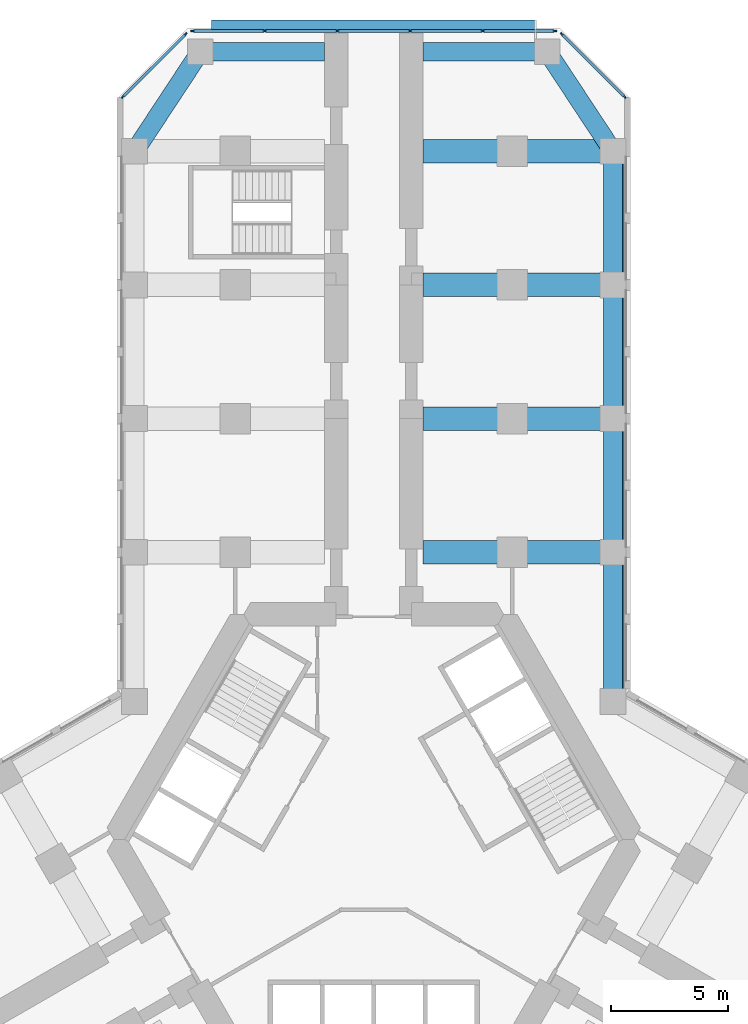
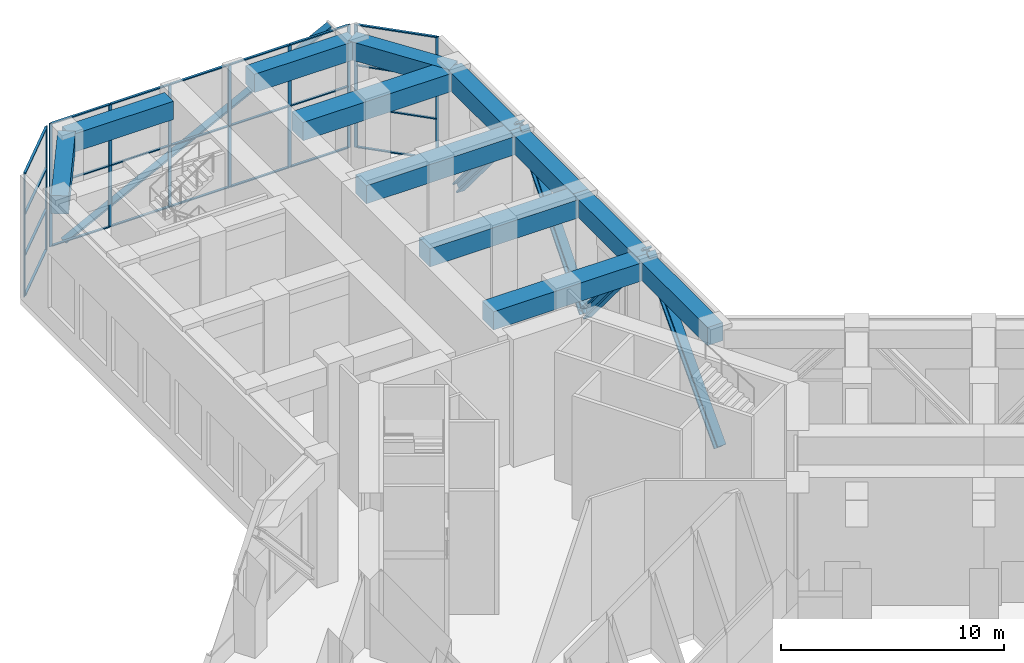
# One storey, part 7 of 17: 38 members, 12 beams, 3 elements without a shape of their own.
"""IFC4 building model written with IfcOpenShell, lengths in metres."""

from ifc_helpers import new_model, si_unit, direction, frame, origin, origin_2d, place, context, subcontext, project, spatial, rectangle, i_section, extrude, material, material_profile, profile_set, type_object, element, aggregate, save


model = new_model("IFC4")

# Units and contexts
model_context = context("Model", 3, precision=1e-05, world=origin(), true_north=direction((0.0, 1.0)))
body_context = subcontext(model_context, "Body", "Model", "MODEL_VIEW")
ifc_project = project(units=[si_unit("LENGTHUNIT", "METRE"), si_unit("AREAUNIT", "SQUARE_METRE"), si_unit("VOLUMEUNIT", "CUBIC_METRE"), si_unit("PLANEANGLEUNIT", "RADIAN"), si_unit("MASSUNIT", "GRAM", prefix="KILO")], contexts=[model_context])

# Site, building, storey
site_placement = place(None, origin())
site = spatial("IfcSite", under=ifc_project, at=site_placement, CompositionType="ELEMENT")
building_placement = place(site_placement, origin())
building = spatial("IfcBuilding", under=site, at=building_placement, Name="Kosmar Iwan School Tower", CompositionType="ELEMENT")
storey_placement = place(building_placement, frame((0.0, 0.0, 32.39990234375)))
storey = spatial("IfcBuildingStorey", under=building, at=storey_placement, Name="L07", CompositionType="ELEMENT", Elevation=32.39990234375)

# Members
ifc_material_1 = material(Name="Steel S355", Category="steel")
ifc_material_profile_1 = material_profile(ifc_material_1, i_section(OverallWidth=0.431884765625, OverallDepth=0.498046875, WebThickness=0.0556640625, FlangeThickness=0.0888671875, FilletRadius=0.014892578125, at=origin_2d()), Name="HD 400x744")
ifc_profile_set_1 = profile_set([ifc_material_profile_1], Name="Steel S355")
member_type_1 = type_object("IfcMemberType", Name="Belt truss diagonal HD 400x744", PredefinedType="BRACE", material=ifc_profile_set_1)
member_1_placement = place(storey_placement, frame((10.4541015625, 5.888916015625, 0.0), z_axis=(0.0, 0.682332246277, 0.731042205136), x_axis=(-1.0, 0.0, 0.0)))
element("IfcMember", 1, at=member_1_placement, inside=storey, type_object=member_type_1, Name="Belt truss diagonal AR1", PredefinedType="BRACE", context=body_context, shape_type="SweptSolid", body=[
    extrude(i_section(OverallWidth=0.431884765625, OverallDepth=0.498046875, WebThickness=0.0556640625, FlangeThickness=0.0888671875, FilletRadius=0.014892578125, at=origin_2d()), origin(), (0.0, 0.0, 1.0), 9.322509765625),
])
for number, where, z_axis, x_axis, name in (
    (2, (10.4541015625, 12.25, 6.815185546875), (0.0, 0.641553730592, -0.76707809952), (-1.0, 0.0, 0.0), "Belt truss diagonal AR2"),
    (3, (10.4541015625, 17.949951171875, 0.0), (0.0, 0.641553730592, 0.76707809952), (-1.0, 0.0, 0.0), "Belt truss diagonal AR3"),
):
    element("IfcMember", number, at=place(storey_placement, frame(where, z_axis=z_axis, x_axis=x_axis)), inside=storey, type_object=member_type_1, Name=name, PredefinedType="BRACE", context=body_context, shape_type="SweptSolid", body=[
        extrude(i_section(OverallWidth=0.431884765625, OverallDepth=0.498046875, WebThickness=0.0556640625, FlangeThickness=0.0888671875, FilletRadius=0.014892578125, at=origin_2d()), origin(), (0.0, 0.0, 1.0), 8.884521484375),
    ])
member_2_placement = place(storey_placement, frame((10.4541015625, 23.64990234375, 6.815185546875), z_axis=(0.0, 0.641569899089, -0.76706457654), x_axis=(-1.0, 0.0, 0.0)))
element("IfcMember", 4, at=member_2_placement, inside=storey, type_object=member_type_1, Name="Belt truss diagonal AR4", PredefinedType="BRACE", context=body_context, shape_type="SweptSolid", body=[
    extrude(i_section(OverallWidth=0.431884765625, OverallDepth=0.498046875, WebThickness=0.0556640625, FlangeThickness=0.0888671875, FilletRadius=0.014892578125, at=origin_2d()), origin(), (0.0, 0.0, 1.0), 8.884765625),
])

# Beams
ifc_material_2 = material(Name="Concrete C50/60", Category="concrete")
ifc_material_profile_2 = material_profile(ifc_material_2, rectangle(XDim=0.800048828125, YDim=1.0, at=origin_2d()), Name="RC 800x1000 + HD 400x634")
ifc_profile_set_2 = profile_set([ifc_material_profile_2], Name="Concrete C50/60")
beam_type_1 = type_object("IfcBeamType", Name="Composite edge beam 800x1000 HD 400x634", PredefinedType="BEAM", material=ifc_profile_set_2)
beam_1_placement = place(storey_placement, frame((10.199951171875, 5.888916015625, 6.25), z_axis=(0.0, 1.0, 0.0), x_axis=(-1.0, 0.0, 0.0)))
element("IfcBeam", 5, at=beam_1_placement, inside=storey, type_object=beam_type_1, Name="Edge beam AR1", PredefinedType="BEAM", context=body_context, shape_type="SweptSolid", body=[
    extrude(rectangle(XDim=0.800048828125, YDim=1.0, at=origin_2d()), origin(), (0.0, 0.0, 1.0), 6.361083984375),
])
for number, where, z_axis, x_axis, name in (
    (6, (10.199951171875, 12.25, 6.25), (0.0, 1.0, 0.0), (-1.0, 0.0, 0.0), "Edge beam AR2"),
    (7, (10.199951171875, 17.949951171875, 6.25), (0.0, 1.0, 0.0), (-1.0, 0.0, 0.0), "Edge beam AR3"),
):
    element("IfcBeam", number, at=place(storey_placement, frame(where, z_axis=z_axis, x_axis=x_axis)), inside=storey, type_object=beam_type_1, Name=name, PredefinedType="BEAM", context=body_context, shape_type="SweptSolid", body=[
        extrude(rectangle(XDim=0.800048828125, YDim=1.0, at=origin_2d()), origin(), (0.0, 0.0, 1.0), 5.699951171875),
    ])
beam_2_placement = place(storey_placement, frame((10.199951171875, 23.64990234375, 6.25), z_axis=(0.0, 1.0, 0.0), x_axis=(-1.0, 0.0, 0.0)))
element("IfcBeam", 8, at=beam_2_placement, inside=storey, type_object=beam_type_1, Name="Edge beam AR4", PredefinedType="BEAM", context=body_context, shape_type="SweptSolid", body=[
    extrude(rectangle(XDim=0.800048828125, YDim=1.0, at=origin_2d()), origin(), (0.0, 0.0, 1.0), 5.7001953125),
])
ifc_material_3 = material(Name="Concrete C50/60", Category="concrete")
ifc_material_profile_3 = material_profile(ifc_material_3, rectangle(XDim=1.0, YDim=1.0, at=origin_2d()), Name="RC 1000x1000 + HD 400x347")
ifc_profile_set_3 = profile_set([ifc_material_profile_3], Name="Concrete C50/60")
beam_type_2 = type_object("IfcBeamType", Name="Composite transverse beam 1000x1000 HD 400x347", PredefinedType="BEAM", material=ifc_profile_set_3)
for number, where, z_axis, x_axis, name in (
    (9, (10.199951171875, 12.25, 6.25), (-1.0, 0.0, 0.0), (0.0, -1.0, 0.0), "Transverse beam AR1"),
    (10, (10.199951171875, 17.949951171875, 6.25), (-1.0, 0.0, 0.0), (0.0, -1.0, 0.0), "Transverse beam AR2"),
    (11, (10.199951171875, 23.64990234375, 6.25), (-1.0, 0.0, 0.0), (0.0, -1.0, 0.0), "Transverse beam AR3"),
    (12, (10.199951171875, 29.35009765625, 6.25), (-1.0, 0.0, 0.0), (0.0, -1.0, 0.0), "Transverse beam AR4"),
):
    element("IfcBeam", number, at=place(storey_placement, frame(where, z_axis=z_axis, x_axis=x_axis)), inside=storey, type_object=beam_type_2, Name=name, PredefinedType="BEAM", context=body_context, shape_type="SweptSolid", body=[
        extrude(rectangle(XDim=1.0, YDim=1.0, at=origin_2d()), origin(), (0.0, 0.0, 1.0), 8.099853515625),
    ])

# Member
ifc_material_4 = material(Name="Black anodised aluminium", Category="aluminium")
ifc_material_profile_4 = material_profile(ifc_material_4, rectangle(XDim=0.10009765625, YDim=0.39990234375, at=origin_2d()), Name="FIN 100x400")
ifc_profile_set_4 = profile_set([ifc_material_profile_4], Name="Black anodised aluminium")
member_type_2 = type_object("IfcMemberType", Name="Diagonal fin 100x400", PredefinedType="USERDEFINED", material=ifc_profile_set_4)
member_3_placement = place(storey_placement, frame((-6.898193359375, 34.75, -0.14990234375), z_axis=(0.891779441227, 0.0, 0.452470361686), x_axis=(-0.452470361686, 0.0, 0.891779441227)))
element("IfcMember", 13, at=member_3_placement, inside=storey, type_object=member_type_2, Name="Diagonal fin L07-F08", ObjectType="FIN", PredefinedType="USERDEFINED", context=body_context, shape_type="SweptSolid", body=[
    extrude(rectangle(XDim=0.10009765625, YDim=0.39990234375, at=origin_2d()), origin(), (0.0, 0.0, 1.0), 15.470703125),
])

# Curtain wall, members
ifc_material_5 = material(Name="Dark glass in black aluminium frame", Category="aluminium")
curtain_wall_type_1 = type_object("IfcCurtainWallType", Name="Chamfer curtain wall dark glass", PredefinedType="USERDEFINED", material=ifc_material_5)
curtain_wall_1_placement = place(storey_placement, origin())
curtain_wall_1 = element("IfcCurtainWall", 14, at=curtain_wall_1_placement, inside=storey, type_object=curtain_wall_type_1, Name="Curtain wall L07-F07", ObjectType="FACETED CURTAIN WALL", PredefinedType="USERDEFINED")
ifc_material_6 = material(Name="Black anodised aluminium", Category="aluminium")
ifc_material_profile_5 = material_profile(ifc_material_6, rectangle(XDim=0.06005859375, YDim=0.159912109375, at=origin_2d()), Name="MULLION 60x160")
ifc_profile_set_5 = profile_set([ifc_material_profile_5], Name="Black anodised aluminium")
member_type_3 = type_object("IfcMemberType", Name="Mullion 60x160", PredefinedType="MULLION", material=ifc_profile_set_5)
member_4_placement = place(storey_placement, frame((10.69775390625, 31.675537109375, 0.0), z_axis=(0.0, 0.0, 1.0), x_axis=(-0.707106781187, -0.707106781187, 0.0)))
member_4 = element("IfcMember", 15, at=member_4_placement, type_object=member_type_3, Name="CW2 mullion 1", PredefinedType="MULLION", context=body_context, shape_type="SweptSolid", body=[
    extrude(rectangle(XDim=0.06005859375, YDim=0.159912109375, at=origin_2d()), origin(), (0.0, 0.0, 1.0), 6.75),
])
member_5_placement = place(storey_placement, frame((8.025390625, 34.34765625, 0.0), z_axis=(0.0, 0.0, 1.0), x_axis=(-0.707106781187, -0.707106781187, 0.0)))
member_5 = element("IfcMember", 16, at=member_5_placement, type_object=member_type_3, Name="CW2 mullion 2", PredefinedType="MULLION", context=body_context, shape_type="SweptSolid", body=[
    extrude(rectangle(XDim=0.06005859375, YDim=0.159912109375, at=origin_2d()), origin(), (0.0, 0.0, 1.0), 6.75),
])

ifc_material_7 = material(Name="Black aluminium louvres and glass", Category="aluminium")
curtain_wall_type_2 = type_object("IfcCurtainWallType", Name="Plant floor louvred curtain wall", PredefinedType="USERDEFINED", material=ifc_material_7)
curtain_wall_2_placement = place(storey_placement, origin())
curtain_wall_2 = element("IfcCurtainWall", 17, at=curtain_wall_2_placement, inside=storey, type_object=curtain_wall_type_2, Name="Curtain wall L07-F08", ObjectType="LOUVRED CURTAIN WALL", PredefinedType="USERDEFINED")
member_6_placement = place(storey_placement, frame((7.71826171875, 34.47509765625, 0.0), z_axis=(0.0, 0.0, 1.0), x_axis=(0.0, -1.0, 0.0)))
member_6 = element("IfcMember", 18, at=member_6_placement, type_object=member_type_3, Name="CW4 mullion 1", PredefinedType="MULLION", context=body_context, shape_type="SweptSolid", body=[
    extrude(rectangle(XDim=0.06005859375, YDim=0.159912109375, at=origin_2d()), origin(), (0.0, 0.0, 1.0), 6.75),
])
member_7_placement = place(storey_placement, frame((4.64892578125, 34.47509765625, 0.0), z_axis=(0.0, 0.0, 1.0), x_axis=(0.0, -1.0, 0.0)))
member_7 = element("IfcMember", 19, at=member_7_placement, type_object=member_type_3, Name="CW4 mullion 2", PredefinedType="MULLION", context=body_context, shape_type="SweptSolid", body=[
    extrude(rectangle(XDim=0.06005859375, YDim=0.159912109375, at=origin_2d()), origin(), (0.0, 0.0, 1.0), 6.75),
])
member_8_placement = place(storey_placement, frame((1.549560546875, 34.47509765625, 0.0), z_axis=(0.0, 0.0, 1.0), x_axis=(0.0, -1.0, 0.0)))
member_8 = element("IfcMember", 20, at=member_8_placement, type_object=member_type_3, Name="CW4 mullion 3", PredefinedType="MULLION", context=body_context, shape_type="SweptSolid", body=[
    extrude(rectangle(XDim=0.06005859375, YDim=0.159912109375, at=origin_2d()), origin(), (0.0, 0.0, 1.0), 6.75),
])
member_9_placement = place(storey_placement, frame((-1.549560546875, 34.47509765625, 0.0), z_axis=(0.0, 0.0, 1.0), x_axis=(0.0, -1.0, 0.0)))
member_9 = element("IfcMember", 21, at=member_9_placement, type_object=member_type_3, Name="CW4 mullion 4", PredefinedType="MULLION", context=body_context, shape_type="SweptSolid", body=[
    extrude(rectangle(XDim=0.06005859375, YDim=0.159912109375, at=origin_2d()), origin(), (0.0, 0.0, 1.0), 6.75),
])
member_10_placement = place(storey_placement, frame((-4.64892578125, 34.47509765625, 0.0), z_axis=(0.0, 0.0, 1.0), x_axis=(0.0, -1.0, 0.0)))
member_10 = element("IfcMember", 22, at=member_10_placement, type_object=member_type_3, Name="CW4 mullion 5", PredefinedType="MULLION", context=body_context, shape_type="SweptSolid", body=[
    extrude(rectangle(XDim=0.06005859375, YDim=0.159912109375, at=origin_2d()), origin(), (0.0, 0.0, 1.0), 6.75),
])
member_11_placement = place(storey_placement, frame((-7.71826171875, 34.47509765625, 0.0), z_axis=(0.0, 0.0, 1.0), x_axis=(0.0, -1.0, 0.0)))
member_11 = element("IfcMember", 23, at=member_11_placement, type_object=member_type_3, Name="CW4 mullion 6", PredefinedType="MULLION", context=body_context, shape_type="SweptSolid", body=[
    extrude(rectangle(XDim=0.06005859375, YDim=0.159912109375, at=origin_2d()), origin(), (0.0, 0.0, 1.0), 6.75),
])

curtain_wall_3_placement = place(storey_placement, origin())
curtain_wall_3 = element("IfcCurtainWall", 24, at=curtain_wall_3_placement, inside=storey, type_object=curtain_wall_type_1, Name="Curtain wall L07-F09", ObjectType="FACETED CURTAIN WALL", PredefinedType="USERDEFINED")
member_12_placement = place(storey_placement, frame((-8.025390625, 34.34765625, 0.0), z_axis=(0.0, 0.0, 1.0), x_axis=(0.707106781187, -0.707106781187, 0.0)))
member_12 = element("IfcMember", 25, at=member_12_placement, type_object=member_type_3, Name="CW2 mullion 1", PredefinedType="MULLION", context=body_context, shape_type="SweptSolid", body=[
    extrude(rectangle(XDim=0.06005859375, YDim=0.159912109375, at=origin_2d()), origin(), (0.0, 0.0, 1.0), 6.75),
])
member_13_placement = place(storey_placement, frame((-10.69775390625, 31.675537109375, 0.0), z_axis=(0.0, 0.0, 1.0), x_axis=(0.707106781187, -0.707106781187, 0.0)))
member_13 = element("IfcMember", 26, at=member_13_placement, type_object=member_type_3, Name="CW2 mullion 2", PredefinedType="MULLION", context=body_context, shape_type="SweptSolid", body=[
    extrude(rectangle(XDim=0.06005859375, YDim=0.159912109375, at=origin_2d()), origin(), (0.0, 0.0, 1.0), 6.75),
])

# Beams
ifc_material_8 = material(Name="Concrete C50/60", Category="concrete")
ifc_material_profile_6 = material_profile(ifc_material_8, rectangle(XDim=0.800048828125, YDim=1.0, at=origin_2d()), Name="RC 800x1000")
ifc_profile_set_6 = profile_set([ifc_material_profile_6], Name="Concrete C50/60")
beam_type_3 = type_object("IfcBeamType", Name="RC tip beam 800x1000", PredefinedType="BEAM", material=ifc_profile_set_6)
beam_3_placement = place(storey_placement, frame((-10.199951171875, 29.35009765625, 6.25), z_axis=(0.550164383043, 0.835056376319, 0.0), x_axis=(-0.835056376319, 0.550164383043, 0.0)))
element("IfcBeam", 27, at=beam_3_placement, inside=storey, type_object=beam_type_3, Name="Tip beam AL", PredefinedType="BEAM", context=body_context, shape_type="SweptSolid", body=[
    extrude(rectangle(XDim=0.800048828125, YDim=1.0, at=origin_2d()), origin(), (0.0, 0.0, 1.0), 5.08935546875),
])
beam_4_placement = place(storey_placement, frame((-7.39990234375, 33.60009765625, 6.25), z_axis=(1.0, 0.0, 0.0), x_axis=(0.0, 1.0, 0.0)))
element("IfcBeam", 28, at=beam_4_placement, inside=storey, type_object=beam_type_3, Name="Tip beam AL to corridor wall", PredefinedType="BEAM", context=body_context, shape_type="SweptSolid", body=[
    extrude(rectangle(XDim=0.800048828125, YDim=1.0, at=origin_2d()), origin(), (0.0, 0.0, 1.0), 5.2998046875),
])
beam_5_placement = place(storey_placement, frame((10.199951171875, 29.35009765625, 6.25), z_axis=(-0.550164383043, 0.835056376319, 0.0), x_axis=(-0.835056376319, -0.550164383043, 0.0)))
element("IfcBeam", 29, at=beam_5_placement, inside=storey, type_object=beam_type_3, Name="Tip beam AR", PredefinedType="BEAM", context=body_context, shape_type="SweptSolid", body=[
    extrude(rectangle(XDim=0.800048828125, YDim=1.0, at=origin_2d()), origin(), (0.0, 0.0, 1.0), 5.08935546875),
])
beam_6_placement = place(storey_placement, frame((7.39990234375, 33.60009765625, 6.25), z_axis=(-1.0, 0.0, 0.0), x_axis=(0.0, -1.0, 0.0)))
element("IfcBeam", 30, at=beam_6_placement, inside=storey, type_object=beam_type_3, Name="Tip beam AR to corridor wall", PredefinedType="BEAM", context=body_context, shape_type="SweptSolid", body=[
    extrude(rectangle(XDim=0.800048828125, YDim=1.0, at=origin_2d()), origin(), (0.0, 0.0, 1.0), 5.2998046875),
])

# Member
ifc_material_9 = material(Name="Black anodised aluminium", Category="aluminium")
ifc_material_profile_7 = material_profile(ifc_material_9, rectangle(XDim=0.1201171875, YDim=0.06005859375, at=origin_2d()), Name="TRANSOM 60x120")
ifc_profile_set_7 = profile_set([ifc_material_profile_7], Name="Black anodised aluminium")
member_type_4 = type_object("IfcMemberType", Name="Transom 60x120", PredefinedType="USERDEFINED", material=ifc_profile_set_7)
member_14_placement = place(storey_placement, frame((10.676513671875, 31.69677734375, 0.030029296875), z_axis=(-0.707139603466, 0.707073957383, 0.0), x_axis=(-0.707073957383, -0.707139603466, 0.0)))
member_14 = element("IfcMember", 31, at=member_14_placement, type_object=member_type_4, Name="CW2 transom 1.1", ObjectType="TRANSOM", PredefinedType="USERDEFINED", context=body_context, shape_type="SweptSolid", body=[
    extrude(rectangle(XDim=0.1201171875, YDim=0.06005859375, at=origin_2d()), origin(), (0.0, 0.0, 1.0), 3.718994140625),
])

member_15_placement = place(storey_placement, frame((10.676513671875, 31.69677734375, 2.25), z_axis=(-0.707139603466, 0.707073957383, 0.0), x_axis=(-0.707073957383, -0.707139603466, 0.0)))
member_15 = element("IfcMember", 32, at=member_15_placement, type_object=member_type_4, Name="CW2 transom 1.2", ObjectType="TRANSOM", PredefinedType="USERDEFINED", context=body_context, shape_type="SweptSolid", body=[
    extrude(rectangle(XDim=0.1201171875, YDim=0.06005859375, at=origin_2d()), origin(), (0.0, 0.0, 1.0), 3.718994140625),
])

member_16_placement = place(storey_placement, frame((10.676513671875, 31.69677734375, 4.5), z_axis=(-0.707139603466, 0.707073957383, 0.0), x_axis=(-0.707073957383, -0.707139603466, 0.0)))
member_16 = element("IfcMember", 33, at=member_16_placement, type_object=member_type_4, Name="CW2 transom 1.3", ObjectType="TRANSOM", PredefinedType="USERDEFINED", context=body_context, shape_type="SweptSolid", body=[
    extrude(rectangle(XDim=0.1201171875, YDim=0.06005859375, at=origin_2d()), origin(), (0.0, 0.0, 1.0), 3.718994140625),
])

member_17_placement = place(storey_placement, frame((10.676513671875, 31.69677734375, 6.72021484375), z_axis=(-0.707139603466, 0.707073957383, 0.0), x_axis=(-0.707073957383, -0.707139603466, 0.0)))
member_17 = element("IfcMember", 34, at=member_17_placement, type_object=member_type_4, Name="CW2 transom 1.4", ObjectType="TRANSOM", PredefinedType="USERDEFINED", context=body_context, shape_type="SweptSolid", body=[
    extrude(rectangle(XDim=0.1201171875, YDim=0.06005859375, at=origin_2d()), origin(), (0.0, 0.0, 1.0), 3.718994140625),
])

aggregate(curtain_wall_1, [member_4, member_5, member_14, member_15, member_16, member_17])

member_18_placement = place(storey_placement, frame((7.688232421875, 34.47509765625, 0.030029296875), z_axis=(-1.0, 0.0, 0.0), x_axis=(0.0, -1.0, 0.0)))
member_18 = element("IfcMember", 35, at=member_18_placement, type_object=member_type_4, Name="CW4 transom 1.1", ObjectType="TRANSOM", PredefinedType="USERDEFINED", context=body_context, shape_type="SweptSolid", body=[
    extrude(rectangle(XDim=0.1201171875, YDim=0.06005859375, at=origin_2d()), origin(), (0.0, 0.0, 1.0), 3.00927734375),
])

member_19_placement = place(storey_placement, frame((7.688232421875, 34.47509765625, 3.375), z_axis=(-1.0, 0.0, 0.0), x_axis=(0.0, -1.0, 0.0)))
member_19 = element("IfcMember", 36, at=member_19_placement, type_object=member_type_4, Name="CW4 transom 1.2", ObjectType="TRANSOM", PredefinedType="USERDEFINED", context=body_context, shape_type="SweptSolid", body=[
    extrude(rectangle(XDim=0.1201171875, YDim=0.06005859375, at=origin_2d()), origin(), (0.0, 0.0, 1.0), 3.00927734375),
])

member_20_placement = place(storey_placement, frame((7.688232421875, 34.47509765625, 6.72021484375), z_axis=(-1.0, 0.0, 0.0), x_axis=(0.0, -1.0, 0.0)))
member_20 = element("IfcMember", 37, at=member_20_placement, type_object=member_type_4, Name="CW4 transom 1.3", ObjectType="TRANSOM", PredefinedType="USERDEFINED", context=body_context, shape_type="SweptSolid", body=[
    extrude(rectangle(XDim=0.1201171875, YDim=0.06005859375, at=origin_2d()), origin(), (0.0, 0.0, 1.0), 3.00927734375),
])

member_21_placement = place(storey_placement, frame((4.618896484375, 34.47509765625, 0.030029296875), z_axis=(-1.0, 0.0, 0.0), x_axis=(0.0, -1.0, 0.0)))
member_21 = element("IfcMember", 38, at=member_21_placement, type_object=member_type_4, Name="CW4 transom 2.1", ObjectType="TRANSOM", PredefinedType="USERDEFINED", context=body_context, shape_type="SweptSolid", body=[
    extrude(rectangle(XDim=0.1201171875, YDim=0.06005859375, at=origin_2d()), origin(), (0.0, 0.0, 1.0), 3.039306640625),
])

member_22_placement = place(storey_placement, frame((4.618896484375, 34.47509765625, 3.375), z_axis=(-1.0, 0.0, 0.0), x_axis=(0.0, -1.0, 0.0)))
member_22 = element("IfcMember", 39, at=member_22_placement, type_object=member_type_4, Name="CW4 transom 2.2", ObjectType="TRANSOM", PredefinedType="USERDEFINED", context=body_context, shape_type="SweptSolid", body=[
    extrude(rectangle(XDim=0.1201171875, YDim=0.06005859375, at=origin_2d()), origin(), (0.0, 0.0, 1.0), 3.039306640625),
])

member_23_placement = place(storey_placement, frame((4.618896484375, 34.47509765625, 6.72021484375), z_axis=(-1.0, 0.0, 0.0), x_axis=(0.0, -1.0, 0.0)))
member_23 = element("IfcMember", 40, at=member_23_placement, type_object=member_type_4, Name="CW4 transom 2.3", ObjectType="TRANSOM", PredefinedType="USERDEFINED", context=body_context, shape_type="SweptSolid", body=[
    extrude(rectangle(XDim=0.1201171875, YDim=0.06005859375, at=origin_2d()), origin(), (0.0, 0.0, 1.0), 3.039306640625),
])

member_24_placement = place(storey_placement, frame((1.51953125, 34.47509765625, 0.030029296875), z_axis=(-1.0, 0.0, 0.0), x_axis=(0.0, -1.0, 0.0)))
member_24 = element("IfcMember", 41, at=member_24_placement, type_object=member_type_4, Name="CW4 transom 3.1", ObjectType="TRANSOM", PredefinedType="USERDEFINED", context=body_context, shape_type="SweptSolid", body=[
    extrude(rectangle(XDim=0.1201171875, YDim=0.06005859375, at=origin_2d()), origin(), (0.0, 0.0, 1.0), 3.0390625),
])

member_25_placement = place(storey_placement, frame((1.51953125, 34.47509765625, 3.375), z_axis=(-1.0, 0.0, 0.0), x_axis=(0.0, -1.0, 0.0)))
member_25 = element("IfcMember", 42, at=member_25_placement, type_object=member_type_4, Name="CW4 transom 3.2", ObjectType="TRANSOM", PredefinedType="USERDEFINED", context=body_context, shape_type="SweptSolid", body=[
    extrude(rectangle(XDim=0.1201171875, YDim=0.06005859375, at=origin_2d()), origin(), (0.0, 0.0, 1.0), 3.0390625),
])

member_26_placement = place(storey_placement, frame((1.51953125, 34.47509765625, 6.72021484375), z_axis=(-1.0, 0.0, 0.0), x_axis=(0.0, -1.0, 0.0)))
member_26 = element("IfcMember", 43, at=member_26_placement, type_object=member_type_4, Name="CW4 transom 3.3", ObjectType="TRANSOM", PredefinedType="USERDEFINED", context=body_context, shape_type="SweptSolid", body=[
    extrude(rectangle(XDim=0.1201171875, YDim=0.06005859375, at=origin_2d()), origin(), (0.0, 0.0, 1.0), 3.0390625),
])

member_27_placement = place(storey_placement, frame((-1.57958984375, 34.47509765625, 0.030029296875), z_axis=(-1.0, 0.0, 0.0), x_axis=(0.0, -1.0, 0.0)))
member_27 = element("IfcMember", 44, at=member_27_placement, type_object=member_type_4, Name="CW4 transom 4.1", ObjectType="TRANSOM", PredefinedType="USERDEFINED", context=body_context, shape_type="SweptSolid", body=[
    extrude(rectangle(XDim=0.1201171875, YDim=0.06005859375, at=origin_2d()), origin(), (0.0, 0.0, 1.0), 3.039306640625),
])

member_28_placement = place(storey_placement, frame((-1.57958984375, 34.47509765625, 3.375), z_axis=(-1.0, 0.0, 0.0), x_axis=(0.0, -1.0, 0.0)))
member_28 = element("IfcMember", 45, at=member_28_placement, type_object=member_type_4, Name="CW4 transom 4.2", ObjectType="TRANSOM", PredefinedType="USERDEFINED", context=body_context, shape_type="SweptSolid", body=[
    extrude(rectangle(XDim=0.1201171875, YDim=0.06005859375, at=origin_2d()), origin(), (0.0, 0.0, 1.0), 3.039306640625),
])

member_29_placement = place(storey_placement, frame((-1.57958984375, 34.47509765625, 6.72021484375), z_axis=(-1.0, 0.0, 0.0), x_axis=(0.0, -1.0, 0.0)))
member_29 = element("IfcMember", 46, at=member_29_placement, type_object=member_type_4, Name="CW4 transom 4.3", ObjectType="TRANSOM", PredefinedType="USERDEFINED", context=body_context, shape_type="SweptSolid", body=[
    extrude(rectangle(XDim=0.1201171875, YDim=0.06005859375, at=origin_2d()), origin(), (0.0, 0.0, 1.0), 3.039306640625),
])

member_30_placement = place(storey_placement, frame((-4.678955078125, 34.47509765625, 0.030029296875), z_axis=(-1.0, 0.0, 0.0), x_axis=(0.0, -1.0, 0.0)))
member_30 = element("IfcMember", 47, at=member_30_placement, type_object=member_type_4, Name="CW4 transom 5.1", ObjectType="TRANSOM", PredefinedType="USERDEFINED", context=body_context, shape_type="SweptSolid", body=[
    extrude(rectangle(XDim=0.1201171875, YDim=0.06005859375, at=origin_2d()), origin(), (0.0, 0.0, 1.0), 3.00927734375),
])

member_31_placement = place(storey_placement, frame((-4.678955078125, 34.47509765625, 3.375), z_axis=(-1.0, 0.0, 0.0), x_axis=(0.0, -1.0, 0.0)))
member_31 = element("IfcMember", 48, at=member_31_placement, type_object=member_type_4, Name="CW4 transom 5.2", ObjectType="TRANSOM", PredefinedType="USERDEFINED", context=body_context, shape_type="SweptSolid", body=[
    extrude(rectangle(XDim=0.1201171875, YDim=0.06005859375, at=origin_2d()), origin(), (0.0, 0.0, 1.0), 3.00927734375),
])

member_32_placement = place(storey_placement, frame((-4.678955078125, 34.47509765625, 6.72021484375), z_axis=(-1.0, 0.0, 0.0), x_axis=(0.0, -1.0, 0.0)))
member_32 = element("IfcMember", 49, at=member_32_placement, type_object=member_type_4, Name="CW4 transom 5.3", ObjectType="TRANSOM", PredefinedType="USERDEFINED", context=body_context, shape_type="SweptSolid", body=[
    extrude(rectangle(XDim=0.1201171875, YDim=0.06005859375, at=origin_2d()), origin(), (0.0, 0.0, 1.0), 3.00927734375),
])

aggregate(curtain_wall_2, [member_6, member_7, member_8, member_9, member_10, member_11, member_18, member_19, member_20, member_21, member_22, member_23, member_24, member_25, member_26, member_27, member_28, member_29, member_30, member_31, member_32])

member_33_placement = place(storey_placement, frame((-8.046630859375, 34.326416015625, 0.030029296875), z_axis=(-0.707139603466, -0.707073957383, 0.0), x_axis=(0.707073957383, -0.707139603466, 0.0)))
member_33 = element("IfcMember", 50, at=member_33_placement, type_object=member_type_4, Name="CW2 transom 1.1", ObjectType="TRANSOM", PredefinedType="USERDEFINED", context=body_context, shape_type="SweptSolid", body=[
    extrude(rectangle(XDim=0.1201171875, YDim=0.06005859375, at=origin_2d()), origin(), (0.0, 0.0, 1.0), 3.718994140625),
])

member_34_placement = place(storey_placement, frame((-8.046630859375, 34.326416015625, 2.25), z_axis=(-0.707139603466, -0.707073957383, 0.0), x_axis=(0.707073957383, -0.707139603466, 0.0)))
member_34 = element("IfcMember", 51, at=member_34_placement, type_object=member_type_4, Name="CW2 transom 1.2", ObjectType="TRANSOM", PredefinedType="USERDEFINED", context=body_context, shape_type="SweptSolid", body=[
    extrude(rectangle(XDim=0.1201171875, YDim=0.06005859375, at=origin_2d()), origin(), (0.0, 0.0, 1.0), 3.718994140625),
])

member_35_placement = place(storey_placement, frame((-8.046630859375, 34.326416015625, 4.5), z_axis=(-0.707139603466, -0.707073957383, 0.0), x_axis=(0.707073957383, -0.707139603466, 0.0)))
member_35 = element("IfcMember", 52, at=member_35_placement, type_object=member_type_4, Name="CW2 transom 1.3", ObjectType="TRANSOM", PredefinedType="USERDEFINED", context=body_context, shape_type="SweptSolid", body=[
    extrude(rectangle(XDim=0.1201171875, YDim=0.06005859375, at=origin_2d()), origin(), (0.0, 0.0, 1.0), 3.718994140625),
])

member_36_placement = place(storey_placement, frame((-8.046630859375, 34.326416015625, 6.72021484375), z_axis=(-0.707139603466, -0.707073957383, 0.0), x_axis=(0.707073957383, -0.707139603466, 0.0)))
member_36 = element("IfcMember", 53, at=member_36_placement, type_object=member_type_4, Name="CW2 transom 1.4", ObjectType="TRANSOM", PredefinedType="USERDEFINED", context=body_context, shape_type="SweptSolid", body=[
    extrude(rectangle(XDim=0.1201171875, YDim=0.06005859375, at=origin_2d()), origin(), (0.0, 0.0, 1.0), 3.718994140625),
])

aggregate(curtain_wall_3, [member_12, member_13, member_33, member_34, member_35, member_36])

save(model, "model.ifc")
